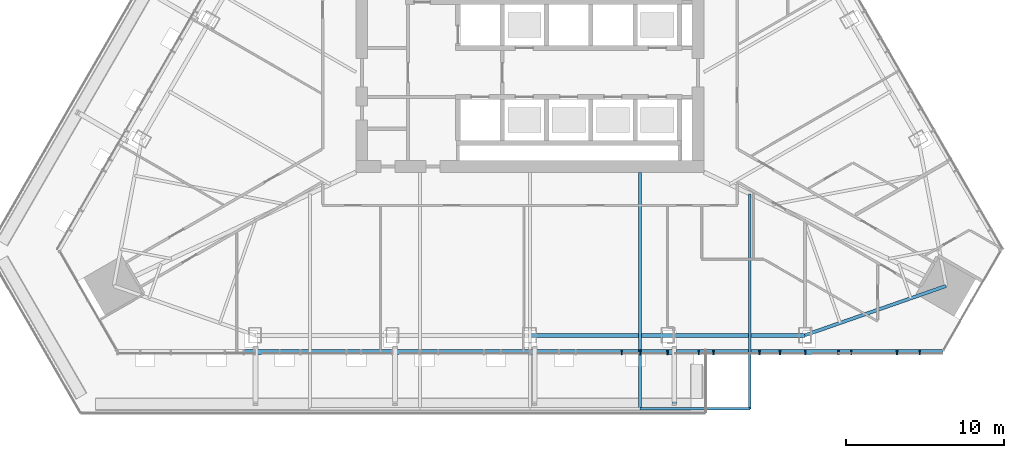
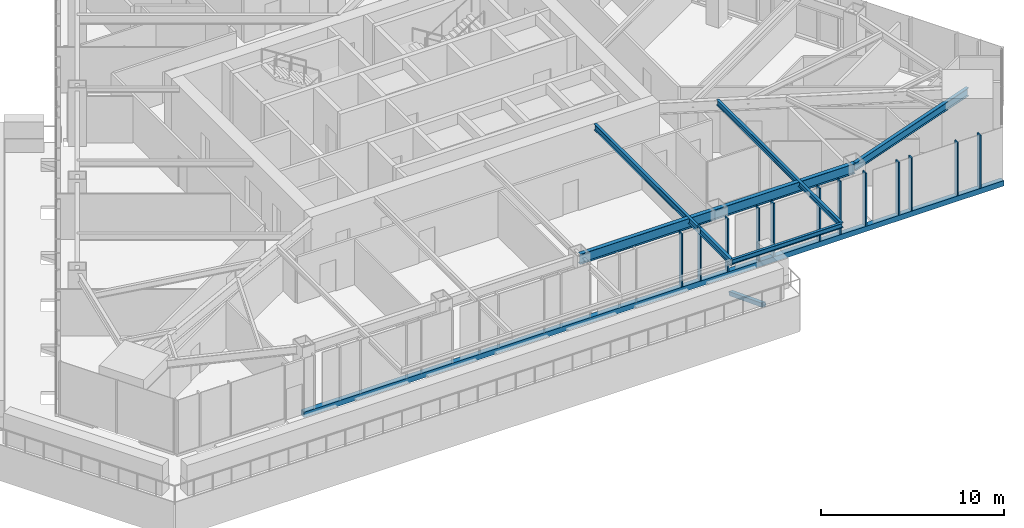
# One storey, part 4 of 23: 14 members, 5 beams, 1 element without a shape of its own.
"""IFC4 building model written with IfcOpenShell, lengths in metres."""

from ifc_helpers import new_model, si_unit, direction, frame, origin, origin_2d, place, context, subcontext, project, spatial, rectangle, hollow_rectangle, i_section, extrude, material, layer, layer_set, material_profile, profile_set, type_object, element, aggregate, save


model = new_model("IFC4")

# Units and contexts
model_context = context("Model", 3, precision=1e-05, world=origin(), true_north=direction((0.0, 1.0)))
body_context = subcontext(model_context, "Body", "Model", "MODEL_VIEW")
ifc_project = project(units=[si_unit("LENGTHUNIT", "METRE"), si_unit("AREAUNIT", "SQUARE_METRE"), si_unit("VOLUMEUNIT", "CUBIC_METRE"), si_unit("PLANEANGLEUNIT", "RADIAN"), si_unit("MASSUNIT", "GRAM", prefix="KILO")], contexts=[model_context])

# Site, building, storey
site_placement = place(None, origin())
site = spatial("IfcSite", under=ifc_project, at=site_placement, CompositionType="ELEMENT")
building_placement = place(site_placement, origin())
building = spatial("IfcBuilding", under=site, at=building_placement, Name="Firuza Gate Tower and Library", CompositionType="ELEMENT")
storey_placement = place(building_placement, frame((0.0, 0.0, 190.89990234375)))
storey = spatial("IfcBuildingStorey", under=building, at=storey_placement, Name="L44", CompositionType="ELEMENT", Elevation=190.89990234375)

# Curtain wall, members
ifc_material_1 = material(Name="Aluminium 6063-T6", Category="aluminium")
ifc_layer = layer(ifc_material_1, 0.14990234375)
ifc_layer_set = layer_set([ifc_layer], Name="Unitised curtain wall, hotel")
curtain_wall_type = type_object("IfcCurtainWallType", Name="Unitised curtain wall, hotel", PredefinedType="NOTDEFINED", material=ifc_layer_set)
curtain_wall_placement = place(storey_placement, origin())
curtain_wall = element("IfcCurtainWall", 1, at=curtain_wall_placement, inside=storey, type_object=curtain_wall_type, Name="CW2 L44 S face", PredefinedType="NOTDEFINED")
ifc_material_2 = material(Name="Aluminium 6063-T6", Category="aluminium")
ifc_material_profile_1 = material_profile(ifc_material_2, rectangle(XDim=0.320068359375, YDim=0.080078125, at=origin_2d()))
ifc_profile_set_1 = profile_set([ifc_material_profile_1], Name="Aluminium 6063-T6")
member_type_1 = type_object("IfcMemberType", Name="Curtain wall mullion 80x320", PredefinedType="MULLION", material=ifc_profile_set_1)
member_1_placement = place(storey_placement, frame((80.800048828125, 55.638916015625, 0.150146484375), z_axis=(0.0, 0.0, 1.0), x_axis=(0.0, 1.0, 0.0)))
member_1 = element("IfcMember", 2, at=member_1_placement, type_object=member_type_1, Name="Mullion", PredefinedType="MULLION", context=body_context, shape_type="SweptSolid", body=[
    extrude(rectangle(XDim=0.320068359375, YDim=0.080078125, at=origin_2d()), origin(), (0.0, 0.0, 1.0), 3.550048828125),
])
member_2_placement = place(storey_placement, frame((83.7001953125, 55.638916015625, 0.150146484375), z_axis=(0.0, 0.0, 1.0), x_axis=(0.0, 1.0, 0.0)))
member_2 = element("IfcMember", 3, at=member_2_placement, type_object=member_type_1, Name="Mullion", PredefinedType="MULLION", context=body_context, shape_type="SweptSolid", body=[
    extrude(rectangle(XDim=0.320068359375, YDim=0.080078125, at=origin_2d()), origin(), (0.0, 0.0, 1.0), 3.550048828125),
])
member_3_placement = place(storey_placement, frame((86.600341796875, 55.638916015625, 0.150146484375), z_axis=(0.0, 0.0, 1.0), x_axis=(0.0, 1.0, 0.0)))
member_3 = element("IfcMember", 4, at=member_3_placement, type_object=member_type_1, Name="Mullion", PredefinedType="MULLION", context=body_context, shape_type="SweptSolid", body=[
    extrude(rectangle(XDim=0.320068359375, YDim=0.080078125, at=origin_2d()), origin(), (0.0, 0.0, 1.0), 3.550048828125),
])
member_4_placement = place(storey_placement, frame((89.500244140625, 55.638916015625, 0.150146484375), z_axis=(0.0, 0.0, 1.0), x_axis=(0.0, 1.0, 0.0)))
member_4 = element("IfcMember", 5, at=member_4_placement, type_object=member_type_1, Name="Mullion", PredefinedType="MULLION", context=body_context, shape_type="SweptSolid", body=[
    extrude(rectangle(XDim=0.320068359375, YDim=0.080078125, at=origin_2d()), origin(), (0.0, 0.0, 1.0), 3.550048828125),
])
member_5_placement = place(storey_placement, frame((92.400390625, 55.638916015625, 0.150146484375), z_axis=(0.0, 0.0, 1.0), x_axis=(0.0, 1.0, 0.0)))
member_5 = element("IfcMember", 6, at=member_5_placement, type_object=member_type_1, Name="Mullion", PredefinedType="MULLION", context=body_context, shape_type="SweptSolid", body=[
    extrude(rectangle(XDim=0.320068359375, YDim=0.080078125, at=origin_2d()), origin(), (0.0, 0.0, 1.0), 3.550048828125),
])
member_6_placement = place(storey_placement, frame((95.300537109375, 55.638916015625, 0.150146484375), z_axis=(0.0, 0.0, 1.0), x_axis=(0.0, 1.0, 0.0)))
member_6 = element("IfcMember", 7, at=member_6_placement, type_object=member_type_1, Name="Mullion", PredefinedType="MULLION", context=body_context, shape_type="SweptSolid", body=[
    extrude(rectangle(XDim=0.320068359375, YDim=0.080078125, at=origin_2d()), origin(), (0.0, 0.0, 1.0), 3.550048828125),
])
member_7_placement = place(storey_placement, frame((98.20068359375, 55.638916015625, 0.150146484375), z_axis=(0.0, 0.0, 1.0), x_axis=(0.0, 1.0, 0.0)))
member_7 = element("IfcMember", 8, at=member_7_placement, type_object=member_type_1, Name="Mullion", PredefinedType="MULLION", context=body_context, shape_type="SweptSolid", body=[
    extrude(rectangle(XDim=0.320068359375, YDim=0.080078125, at=origin_2d()), origin(), (0.0, 0.0, 1.0), 3.550048828125),
])
member_8_placement = place(storey_placement, frame((81.980224609375, 55.638916015625, 0.150146484375), z_axis=(0.0, 0.0, 1.0), x_axis=(0.0, 1.0, 0.0)))
member_8 = element("IfcMember", 9, at=member_8_placement, type_object=member_type_1, Name="Mullion", PredefinedType="MULLION", context=body_context, shape_type="SweptSolid", body=[
    extrude(rectangle(XDim=0.320068359375, YDim=0.080078125, at=origin_2d()), origin(), (0.0, 0.0, 1.0), 3.550048828125),
])
member_9_placement = place(storey_placement, frame((85.66748046875, 55.638916015625, 0.150146484375), z_axis=(0.0, 0.0, 1.0), x_axis=(0.0, 1.0, 0.0)))
member_9 = element("IfcMember", 10, at=member_9_placement, type_object=member_type_1, Name="Mullion", PredefinedType="MULLION", context=body_context, shape_type="SweptSolid", body=[
    extrude(rectangle(XDim=0.320068359375, YDim=0.080078125, at=origin_2d()), origin(), (0.0, 0.0, 1.0), 3.550048828125),
])
member_10_placement = place(storey_placement, frame((90.803955078125, 55.638916015625, 0.150146484375), z_axis=(0.0, 0.0, 1.0), x_axis=(0.0, 1.0, 0.0)))
member_10 = element("IfcMember", 11, at=member_10_placement, type_object=member_type_1, Name="Mullion", PredefinedType="MULLION", context=body_context, shape_type="SweptSolid", body=[
    extrude(rectangle(XDim=0.320068359375, YDim=0.080078125, at=origin_2d()), origin(), (0.0, 0.0, 1.0), 3.550048828125),
])
member_11_placement = place(storey_placement, frame((94.491455078125, 55.638916015625, 0.150146484375), z_axis=(0.0, 0.0, 1.0), x_axis=(0.0, 1.0, 0.0)))
member_11 = element("IfcMember", 12, at=member_11_placement, type_object=member_type_1, Name="Mullion", PredefinedType="MULLION", context=body_context, shape_type="SweptSolid", body=[
    extrude(rectangle(XDim=0.320068359375, YDim=0.080078125, at=origin_2d()), origin(), (0.0, 0.0, 1.0), 3.550048828125),
])
member_12_placement = place(storey_placement, frame((99.6279296875, 55.638916015625, 0.150146484375), z_axis=(0.0, 0.0, 1.0), x_axis=(0.0, 1.0, 0.0)))
member_12 = element("IfcMember", 13, at=member_12_placement, type_object=member_type_1, Name="Mullion", PredefinedType="MULLION", context=body_context, shape_type="SweptSolid", body=[
    extrude(rectangle(XDim=0.320068359375, YDim=0.080078125, at=origin_2d()), origin(), (0.0, 0.0, 1.0), 3.550048828125),
])
ifc_material_3 = material(Name="Aluminium 6063-T6", Category="aluminium")
ifc_material_profile_2 = material_profile(ifc_material_3, rectangle(XDim=0.320068359375, YDim=0.35009765625, at=origin_2d()))
ifc_profile_set_2 = profile_set([ifc_material_profile_2], Name="Aluminium 6063-T6")
member_type_2 = type_object("IfcMemberType", Name="Curtain wall transom 350x320", PredefinedType="USERDEFINED", material=ifc_profile_set_2)
member_13_placement = place(storey_placement, frame((56.91943359375, 55.638916015625, -0.02490234375), z_axis=(1.0, 0.0, 0.0), x_axis=(0.0, 1.0, 0.0)))
member_13 = element("IfcMember", 14, at=member_13_placement, type_object=member_type_2, Name="Transom", ObjectType="TRANSOM", PredefinedType="USERDEFINED", context=body_context, shape_type="SweptSolid", body=[
    extrude(rectangle(XDim=0.320068359375, YDim=0.35009765625, at=origin_2d()), origin(), (0.0, 0.0, 1.0), 44.18115234375),
])
aggregate(curtain_wall, [member_1, member_2, member_3, member_4, member_5, member_6, member_7, member_13, member_8, member_9, member_10, member_11, member_12])

# Member
ifc_material_4 = material(Name="Steel S355", Category="steel")
ifc_material_profile_3 = material_profile(ifc_material_4, hollow_rectangle(XDim=0.25390625, YDim=0.25390625, WallThickness=0.01171875, at=origin_2d()))
ifc_profile_set_3 = profile_set([ifc_material_profile_3], Name="Steel S355")
member_type_3 = type_object("IfcMemberType", Name="HSS254x254x13 Tray strut", PredefinedType="BRACE", material=ifc_profile_set_3)
member_14_placement = place(storey_placement, frame((84.123779296875, 55.9248046875, -1.669921875), z_axis=(0.0, -0.932016532514, 0.362415760032), x_axis=(1.0, 0.0, 0.0)))
element("IfcMember", 15, at=member_14_placement, inside=storey, type_object=member_type_3, Name="Tray strut L44 col:L43:S4", PredefinedType="BRACE", context=body_context, shape_type="SweptSolid", body=[
    extrude(hollow_rectangle(XDim=0.25390625, YDim=0.25390625, WallThickness=0.01171875, at=origin_2d()), origin(), (0.0, 0.0, 1.0), 3.86279296875),
])

# Beams
ifc_material_5 = material(Name="Steel S355", Category="steel")
ifc_material_profile_4 = material_profile(ifc_material_5, i_section(OverallWidth=0.1650390625, OverallDepth=0.31005859375, WebThickness=0.005859375, FlangeThickness=0.009765625, at=origin_2d()))
ifc_profile_set_4 = profile_set([ifc_material_profile_4], Name="Steel S355")
beam_type_1 = type_object("IfcBeamType", Name="W310x39 Floor beam", PredefinedType="JOIST", material=ifc_profile_set_4)
beam_1_placement = place(storey_placement, frame((81.94873046875, 52.048828125, 3.545166015625), z_axis=(1.0, 0.0, 0.0), x_axis=(0.0, 1.0, 0.0)))
element("IfcBeam", 16, at=beam_1_placement, inside=storey, type_object=beam_type_1, Name="Tray edge beam L44 s23-s24", PredefinedType="JOIST", context=body_context, shape_type="SweptSolid", body=[
    extrude(i_section(OverallWidth=0.1650390625, OverallDepth=0.31005859375, WebThickness=0.005859375, FlangeThickness=0.009765625, at=origin_2d()), origin(), (0.0, 0.0, 1.0), 6.948486328125),
])
ifc_material_6 = material(Name="Steel S355", Category="steel")
ifc_material_profile_5 = material_profile(ifc_material_6, i_section(OverallWidth=0.1708984375, OverallDepth=0.35498046875, WebThickness=0.007080078125, FlangeThickness=0.01171875, at=origin_2d()))
ifc_profile_set_5 = profile_set([ifc_material_profile_5], Name="Steel S355")
beam_type_2 = type_object("IfcBeamType", Name="W360x51 Floor beam", PredefinedType="JOIST", material=ifc_profile_set_5)
beam_2_placement = place(storey_placement, frame((88.897216796875, 52.048828125, 3.522705078125), z_axis=(0.0, 1.0, 0.0), x_axis=(-1.0, 0.0, 0.0)))
element("IfcBeam", 17, at=beam_2_placement, inside=storey, type_object=beam_type_2, Name="Floor beam L44 s24", PredefinedType="JOIST", context=body_context, shape_type="SweptSolid", body=[
    extrude(i_section(OverallWidth=0.1708984375, OverallDepth=0.35498046875, WebThickness=0.007080078125, FlangeThickness=0.01171875, at=origin_2d()), origin(), (0.0, 0.0, 1.0), 13.5908203125),
])
ifc_material_7 = material(Name="Steel S355", Category="steel")
ifc_material_profile_6 = material_profile(ifc_material_7, i_section(OverallWidth=0.177978515625, OverallDepth=0.406982421875, WebThickness=0.0078125, FlangeThickness=0.0126953125, at=origin_2d()))
ifc_profile_set_6 = profile_set([ifc_material_profile_6], Name="Steel S355")
beam_type_3 = type_object("IfcBeamType", Name="W410x60 Floor beam", PredefinedType="JOIST", material=ifc_profile_set_6)
beam_3_placement = place(storey_placement, frame((81.94873046875, 52.048828125, 3.49658203125), z_axis=(0.0, 1.0, 0.0), x_axis=(-1.0, 0.0, 0.0)))
element("IfcBeam", 18, at=beam_3_placement, inside=storey, type_object=beam_type_3, Name="Floor beam L44 s23", PredefinedType="JOIST", context=body_context, shape_type="SweptSolid", body=[
    extrude(i_section(OverallWidth=0.177978515625, OverallDepth=0.406982421875, WebThickness=0.0078125, FlangeThickness=0.0126953125, at=origin_2d()), origin(), (0.0, 0.0, 1.0), 14.951171875),
])
ifc_material_8 = material(Name="Steel S355", Category="steel")
ifc_material_profile_7 = material_profile(ifc_material_8, i_section(OverallWidth=0.212890625, OverallDepth=0.5390625, WebThickness=0.01171875, FlangeThickness=0.018798828125, at=origin_2d()))
ifc_profile_set_7 = profile_set([ifc_material_profile_7], Name="Steel S355")
beam_type_4 = type_object("IfcBeamType", Name="W530x109 Edge beam", PredefinedType="SPANDREL", material=ifc_profile_set_7)
beam_4_placement = place(storey_placement, frame((92.37158203125, 56.698974609375, 3.4306640625), z_axis=(0.94408154334, 0.329712055475, 0.0), x_axis=(-0.329712055475, 0.94408154334, 0.0)))
element("IfcBeam", 19, at=beam_4_placement, inside=storey, type_object=beam_type_4, Name="Edge beam L44 e30", PredefinedType="SPANDREL", context=body_context, shape_type="SweptSolid", body=[
    extrude(i_section(OverallWidth=0.212890625, OverallDepth=0.5390625, WebThickness=0.01171875, FlangeThickness=0.018798828125, at=origin_2d()), origin(), (0.0, 0.0, 1.0), 9.455810546875),
])
ifc_material_9 = material(Name="Steel S355", Category="steel")
ifc_material_profile_8 = material_profile(ifc_material_9, i_section(OverallWidth=0.2529296875, OverallDepth=0.677978515625, WebThickness=0.01171875, FlangeThickness=0.016357421875, at=origin_2d()))
ifc_profile_set_8 = profile_set([ifc_material_profile_8], Name="Steel S355")
beam_type_5 = type_object("IfcBeamType", Name="W690x125 Edge beam", PredefinedType="SPANDREL", material=ifc_profile_set_8)
beam_5_placement = place(storey_placement, frame((75.0, 56.698974609375, 3.361083984375), z_axis=(1.0, 0.0, 0.0), x_axis=(0.0, 1.0, 0.0)))
element("IfcBeam", 20, at=beam_5_placement, inside=storey, type_object=beam_type_5, Name="Edge beam L44 e22", PredefinedType="SPANDREL", context=body_context, shape_type="SweptSolid", body=[
    extrude(i_section(OverallWidth=0.2529296875, OverallDepth=0.677978515625, WebThickness=0.01171875, FlangeThickness=0.016357421875, at=origin_2d()), origin(), (0.0, 0.0, 1.0), 17.37158203125),
])

save(model, "model.ifc")
